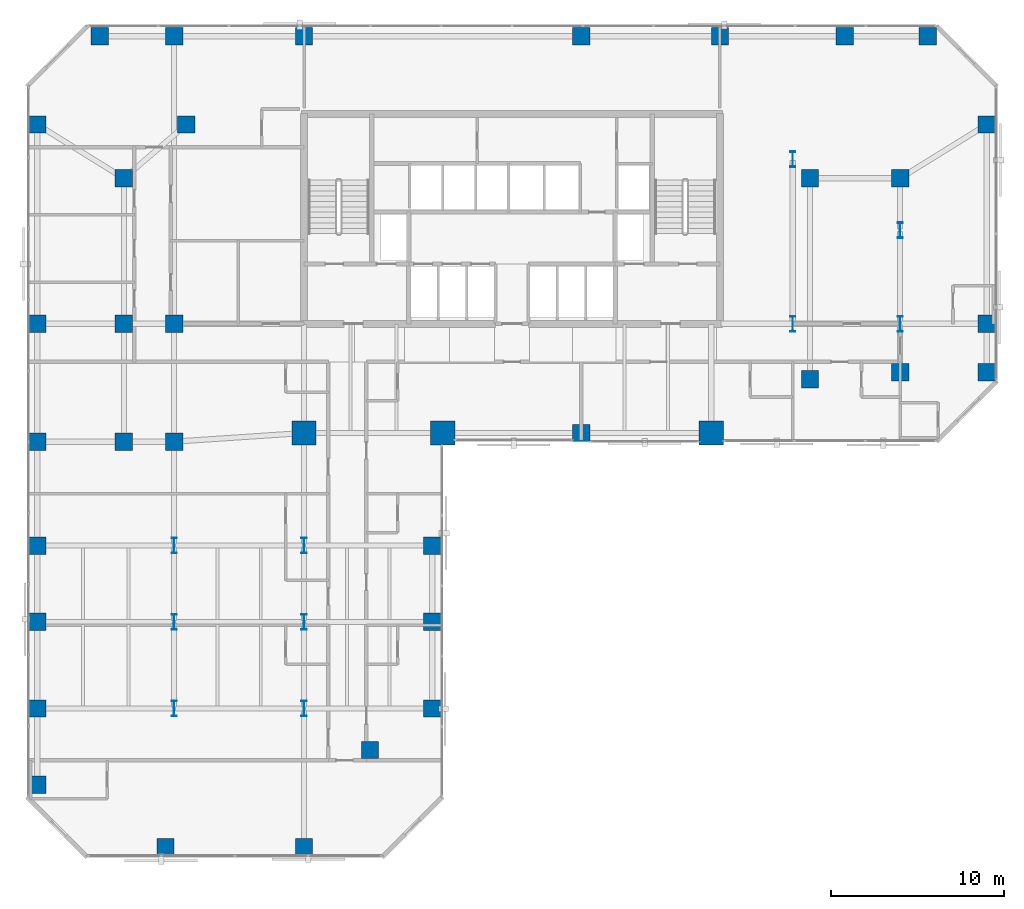
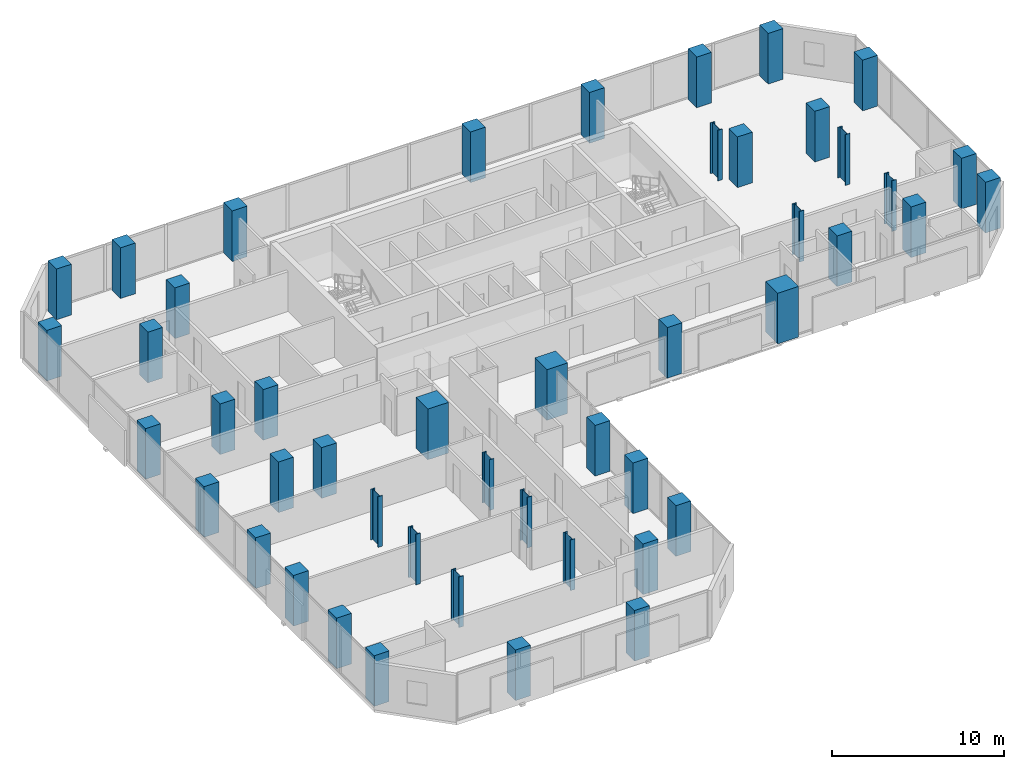
# One storey, part 1 of 31: 47 columns.
"""IFC4 building model written with IfcOpenShell, lengths in metres."""

from ifc_helpers import new_model, si_unit, direction, frame, origin, origin_2d, place, context, subcontext, project, spatial, rectangle, i_section, extrude, material, material_profile, profile_set, type_object, element, save


model = new_model("IFC4")

# Units and contexts
model_context = context("Model", 3, precision=1e-05, world=origin(), true_north=direction((0.0, 1.0)))
body_context = subcontext(model_context, "Body", "Model", "MODEL_VIEW")
ifc_project = project(units=[si_unit("LENGTHUNIT", "METRE"), si_unit("AREAUNIT", "SQUARE_METRE"), si_unit("VOLUMEUNIT", "CUBIC_METRE"), si_unit("PLANEANGLEUNIT", "RADIAN"), si_unit("MASSUNIT", "GRAM", prefix="KILO")], contexts=[model_context])

# Site, building, storey
site_placement = place(None, origin())
site = spatial("IfcSite", under=ifc_project, at=site_placement, CompositionType="ELEMENT")
building_placement = place(site_placement, origin())
building = spatial("IfcBuilding", under=site, at=building_placement, Name="Catumbela Crestline Tower", CompositionType="ELEMENT")
storey_placement = place(building_placement, frame((0.0, 0.0, 40.2)))
storey = spatial("IfcBuildingStorey", under=building, at=storey_placement, Name="L09", CompositionType="ELEMENT", Elevation=40.2)

# Columns
ifc_material_1 = material(Name="Concrete C60/75", Category="concrete")
ifc_material_profile_1 = material_profile(ifc_material_1, rectangle(XDim=1.0, YDim=1.0, at=origin_2d()), Name="RC 1000x1000")
ifc_profile_set_1 = profile_set([ifc_material_profile_1], Name="Concrete C60/75")
column_type_1 = type_object("IfcColumnType", Name="C-RC1000-C60", PredefinedType="COLUMN", material=ifc_profile_set_1)
for number, where, z_axis, x_axis, name in (
    (1, (8.5, 24.0, 0.0), (0.0, 0.0, 1.0), (1.0, 0.0, 0.0), "L09 Column C-08-24 (RC 1000x1000)"),
    (2, (32.0, 24.5, 0.0), (0.0, 0.0, 1.0), (1.0, 0.0, 0.0), "L09 Column C-32-24 (RC 1000x1000)"),
    (3, (5.6, 24.0, 0.0), (0.0, 0.0, 1.0), (1.0, 0.0, 0.0), "L09 Column C-05-24 (RC 1000x1000)"),
    (4, (5.6, 30.8, 0.0), (0.0, 0.0, 1.0), (1.0, 0.0, 0.0), "L09 Column C-05-31 (RC 1000x1000)"),
    (5, (5.6, 39.2, 0.0), (0.0, 0.0, 1.0), (1.0, 0.0, 0.0), "L09 Column C-05-43 (RC 1000x1000)"),
    (6, (8.5, 30.8, 0.0), (0.0, 0.0, 1.0), (1.0, 0.0, 0.0), "L09 Column C-08-31 (RC 1000x1000)"),
    (7, (9.2, 42.3, 0.0), (0.0, 0.0, 1.0), (1.0, 0.0, 0.0), "L09 Column C-08-43 (RC 1000x1000)"),
    (8, (45.2, 27.6, 0.0), (0.0, 0.0, 1.0), (1.0, 0.0, 0.0), "L09 Column C-46-24 (RC 1000x1000)"),
    (9, (45.2, 39.2, 0.0), (0.0, 0.0, 1.0), (1.0, 0.0, 0.0), "L09 Column C-46-43 (RC 1000x1000)"),
    (10, (0.6, 24.0, 0.0), (0.0, 0.0, 1.0), (1.0, 0.0, 0.0), "L09 Column C-00-24 (RC 1000x1000)"),
    (11, (0.6, 30.8, 0.0), (0.0, 0.0, 1.0), (1.0, 0.0, 0.0), "L09 Column C-00-31 (RC 1000x1000)"),
    (12, (0.6, 42.3, 0.0), (0.0, 0.0, 1.0), (1.0, 0.0, 0.0), "L09 Column C-00-43 (RC 1000x1000)"),
    (13, (4.2, 47.4, 0.0), (0.0, 0.0, 1.0), (1.0, 0.0, 0.0), "L09 Column C-00-48 (RC 1000x1000)"),
    (14, (8.5, 47.4, 0.0), (0.0, 0.0, 1.0), (1.0, 0.0, 0.0), "L09 Column C-08-48 (RC 1000x1000)"),
    (15, (16.0, 47.4, 0.0), (0.0, 0.0, 1.0), (1.0, 0.0, 0.0), "L09 Column C-16-48 (RC 1000x1000)"),
    (16, (32.0, 47.4, 0.0), (0.0, 0.0, 1.0), (1.0, 0.0, 0.0), "L09 Column C-32-48 (RC 1000x1000)"),
    (17, (40.0, 47.4, 0.0), (0.0, 0.0, 1.0), (1.0, 0.0, 0.0), "L09 Column C-40-48 (RC 1000x1000)"),
    (18, (47.2, 47.4, 0.0), (0.0, 0.0, 1.0), (1.0, 0.0, 0.0), "L09 Column C-48-48 (RC 1000x1000)"),
    (19, (50.4, 28.0, 0.0), (0.0, 0.0, 1.0), (1.0, 0.0, 0.0), "L09 Column C-51-24 (RC 1000x1000)"),
    (20, (50.4, 39.2, 0.0), (0.0, 0.0, 1.0), (1.0, 0.0, 0.0), "L09 Column C-51-43 (RC 1000x1000)"),
    (21, (55.4, 28.0, 0.0), (0.0, 0.0, 1.0), (1.0, 0.0, 0.0), "L09 Column C-56-24 (RC 1000x1000)"),
    (22, (55.4, 30.8, 0.0), (0.0, 0.0, 1.0), (1.0, 0.0, 0.0), "L09 Column C-56-31 (RC 1000x1000)"),
    (23, (55.4, 42.3, 0.0), (0.0, 0.0, 1.0), (1.0, 0.0, 0.0), "L09 Column C-56-43 (RC 1000x1000)"),
    (24, (52.0, 47.4, 0.0), (0.0, 0.0, 1.0), (1.0, 0.0, 0.0), "L09 Column C-56-48 (RC 1000x1000)"),
    (25, (0.6, 8.6, 0.0), (0.0, 0.0, 1.0), (1.0, 0.0, 0.0), "L09 Column C-00-05 (RC 1000x1000)"),
    (26, (0.6, 13.6, 0.0), (0.0, 0.0, 1.0), (1.0, 0.0, 0.0), "L09 Column C-00-10 (RC 1000x1000)"),
    (27, (0.6, 18.0, 0.0), (0.0, 0.0, 1.0), (1.0, 0.0, 0.0), "L09 Column C-00-16 (RC 1000x1000)"),
    (28, (0.6, 4.2, 0.0), (0.0, 0.0, 1.0), (1.0, 0.0, 0.0), "L09 Column C-00-03 (RC 1000x1000)"),
    (29, (8.0, 0.6, 0.0), (0.0, 0.0, 1.0), (1.0, 0.0, 0.0), "L09 Column C-08-00 (RC 1000x1000)"),
    (30, (16.0, 0.6, 0.0), (0.0, 0.0, 1.0), (1.0, 0.0, 0.0), "L09 Column C-16-00 (RC 1000x1000)"),
    (31, (19.8, 6.2, 0.0), (0.0, 0.0, 1.0), (1.0, 0.0, 0.0), "L09 Column C-24-05 (RC 1000x1000)"),
    (32, (23.4, 8.6, 0.0), (0.0, 0.0, 1.0), (1.0, 0.0, 0.0), "L09 Column C-23-08 (RC 1000x1000)"),
    (33, (23.4, 13.6, 0.0), (0.0, 0.0, 1.0), (1.0, 0.0, 0.0), "L09 Column C-24-10 (RC 1000x1000)"),
    (34, (23.4, 18.0, 0.0), (0.0, 0.0, 1.0), (1.0, 0.0, 0.0), "L09 Column C-24-16 (RC 1000x1000)"),
):
    element("IfcColumn", number, at=place(storey_placement, frame(where, z_axis=z_axis, x_axis=x_axis)), inside=storey, type_object=column_type_1, Name=name, PredefinedType="COLUMN", context=body_context, shape_type="SweptSolid", body=[
        extrude(rectangle(XDim=1.0, YDim=1.0, at=origin_2d()), origin(), (0.0, 0.0, 1.0), 3.6),
    ])
ifc_material_profile_2 = material_profile(ifc_material_1, rectangle(XDim=1.4, YDim=1.4, at=origin_2d()), Name="RC 1400x1400")
ifc_profile_set_2 = profile_set([ifc_material_profile_2], Name="Concrete C60/75")
column_type_2 = type_object("IfcColumnType", Name="C-RC1400-C60", PredefinedType="COLUMN", material=ifc_profile_set_2)
for number, where, z_axis, x_axis, name in (
    (35, (16.0, 24.5, 0.0), (0.0, 0.0, 1.0), (1.0, 0.0, 0.0), "L09 Column C-16-24 (RC 1400x1400)"),
    (36, (24.0, 24.5, 0.0), (0.0, 0.0, 1.0), (1.0, 0.0, 0.0), "L09 Column C-24-24 (RC 1400x1400)"),
    (37, (39.5, 24.5, 0.0), (0.0, 0.0, 1.0), (1.0, 0.0, 0.0), "L09 Column C-40-24 (RC 1400x1400)"),
):
    element("IfcColumn", number, at=place(storey_placement, frame(where, z_axis=z_axis, x_axis=x_axis)), inside=storey, type_object=column_type_2, Name=name, PredefinedType="COLUMN", context=body_context, shape_type="SweptSolid", body=[
        extrude(rectangle(XDim=1.4, YDim=1.4, at=origin_2d()), origin(), (0.0, 0.0, 1.0), 3.6),
    ])
ifc_material_2 = material(Name="Structural steel S460M", Category="steel")
ifc_material_profile_3 = material_profile(ifc_material_2, i_section(OverallWidth=0.3, OverallDepth=0.9, WebThickness=0.0185, FlangeThickness=0.035, FilletRadius=0.03, at=origin_2d()), Name="HEB 900")
ifc_profile_set_3 = profile_set([ifc_material_profile_3], Name="Structural steel S460M")
column_type_3 = type_object("IfcColumnType", Name="C-ST-HEB900", PredefinedType="COLUMN", material=ifc_profile_set_3)
for number, where, z_axis, x_axis, name in (
    (38, (8.5, 8.6, 0.0), (0.0, 0.0, 1.0), (1.0, 0.0, 0.0), "L09 Column CT-05-05 (HEB 900)"),
    (39, (16.0, 8.6, 0.0), (0.0, 0.0, 1.0), (1.0, 0.0, 0.0), "L09 Column CT-14-05 (HEB 900)"),
    (40, (8.5, 13.6, 0.0), (0.0, 0.0, 1.0), (1.0, 0.0, 0.0), "L09 Column CT-05-10 (HEB 900)"),
    (41, (16.0, 13.6, 0.0), (0.0, 0.0, 1.0), (1.0, 0.0, 0.0), "L09 Column CT-14-10 (HEB 900)"),
    (42, (8.5, 18.0, 0.0), (0.0, 0.0, 1.0), (1.0, 0.0, 0.0), "L09 Column CT-05-16 (HEB 900)"),
    (43, (16.0, 18.0, 0.0), (0.0, 0.0, 1.0), (1.0, 0.0, 0.0), "L09 Column CT-14-16 (HEB 900)"),
    (44, (44.2, 30.8, 0.0), (0.0, 0.0, 1.0), (1.0, 0.0, 0.0), "L09 Column CT-46-31 (HEB 900)"),
    (45, (44.2, 40.3, 0.0), (0.0, 0.0, 1.0), (1.0, 0.0, 0.0), "L09 Column CT-46-37 (HEB 900)"),
    (46, (50.4, 30.8, 0.0), (0.0, 0.0, 1.0), (1.0, 0.0, 0.0), "L09 Column CT-51-31 (HEB 900)"),
    (47, (50.4, 36.2, 0.0), (0.0, 0.0, 1.0), (1.0, 0.0, 0.0), "L09 Column CT-51-37 (HEB 900)"),
):
    element("IfcColumn", number, at=place(storey_placement, frame(where, z_axis=z_axis, x_axis=x_axis)), inside=storey, type_object=column_type_3, Name=name, PredefinedType="COLUMN", context=body_context, shape_type="SweptSolid", body=[
        extrude(i_section(OverallWidth=0.3, OverallDepth=0.9, WebThickness=0.0185, FlangeThickness=0.035, FilletRadius=0.03, at=origin_2d()), origin(), (0.0, 0.0, 1.0), 3.6),
    ])

save(model, "model.ifc")
